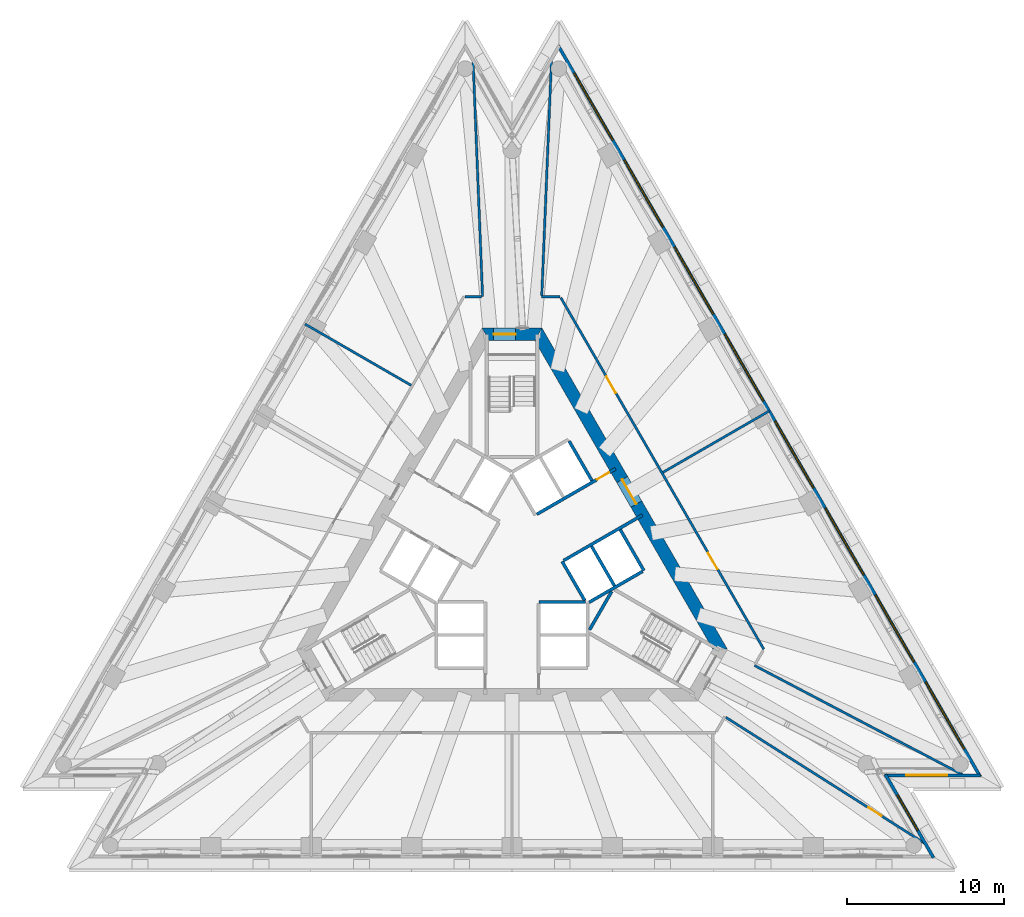
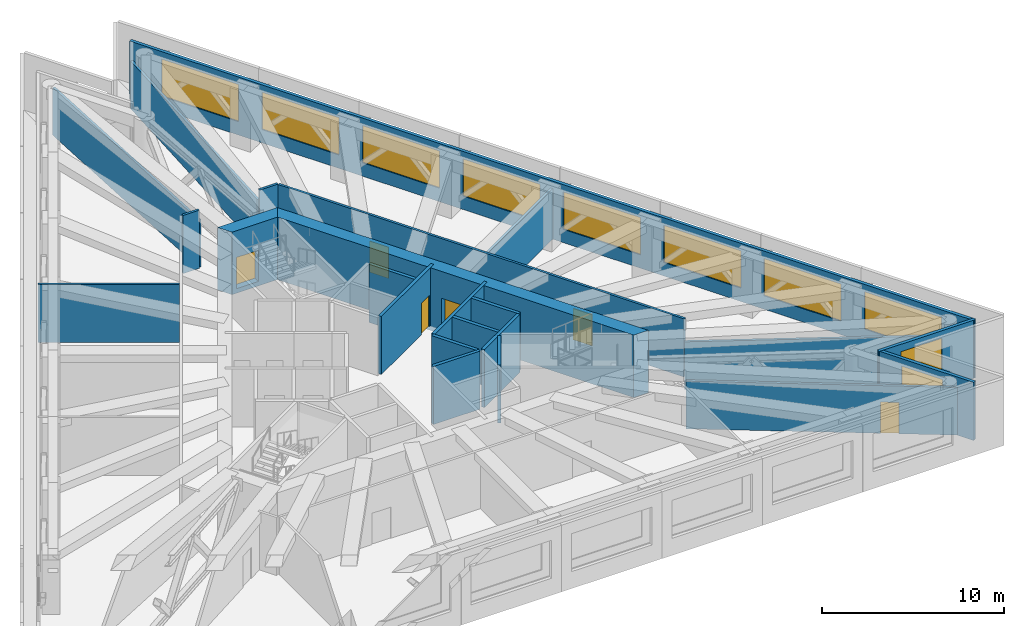
# One storey, part 9 of 13: 23 walls, 10 windows, 6 doors, 16 openings.
"""IFC4 building model written with IfcOpenShell, lengths in metres."""

from ifc_helpers import new_model, si_unit, direction, frame, frame_2d, origin, place, context, subcontext, project, spatial, polyline, rectangle, outline, extrude, material, layer, layer_set, layer_usage, type_object, element, fill, save


model = new_model("IFC4")

# Units and contexts
model_context = context("Model", 3, precision=1e-05, world=origin(), true_north=direction((0.0, 1.0)))
body_context = subcontext(model_context, "Body", "Model", "MODEL_VIEW")
ifc_project = project(units=[si_unit("LENGTHUNIT", "METRE"), si_unit("AREAUNIT", "SQUARE_METRE"), si_unit("VOLUMEUNIT", "CUBIC_METRE"), si_unit("PLANEANGLEUNIT", "RADIAN"), si_unit("MASSUNIT", "GRAM", prefix="KILO")], contexts=[model_context])

# Site, building, storey
site_placement = place(None, origin())
site = spatial("IfcSite", under=ifc_project, at=site_placement, CompositionType="ELEMENT")
building_placement = place(site_placement, origin())
building = spatial("IfcBuilding", under=site, at=building_placement, Name="Triada Interchange Tower", CompositionType="ELEMENT")
storey_placement = place(building_placement, frame((0.0, 0.0, 176.300048828125)))
storey = spatial("IfcBuildingStorey", under=building, at=storey_placement, Name="L41", CompositionType="ELEMENT", Elevation=176.300048828125)

# Walls
ifc_material_1 = material(Name="Concrete C30/37", Category="concrete")
ifc_layer_1 = layer(ifc_material_1, 0.199951171875)
ifc_layer_set_1 = layer_set([ifc_layer_1], Name="CORE WALL 200 EI 120")
wall_type_1 = type_object("IfcWallType", Name="CORE WALL 200 EI 120", PredefinedType="SOLIDWALL", material=ifc_layer_set_1)
wall_1_placement = place(storey_placement, frame((1.702880859375, -2.699951171875, 0.0), z_axis=(0.0, 0.0, 1.0), x_axis=(1.0, 0.0, 0.0)))
element("IfcWall", 1, at=wall_1_placement, inside=storey, type_object=wall_type_1, Name="Wall L41 32", PredefinedType="SOLIDWALL", context=body_context, shape_type="SweptSolid", body=[
    extrude(rectangle(XDim=2.97314453125, YDim=0.199951171875, at=frame_2d((1.486572265625, 0.0))), origin(), (0.0, 0.0, 1.0), 3.89990234375),
])
wall_2_placement = place(storey_placement, frame((3.18994140625, -0.125, 0.0), z_axis=(0.0, 0.0, 1.0), x_axis=(0.499988658015, -0.866031951983, 0.0)))
element("IfcWall", 2, at=wall_2_placement, inside=storey, type_object=wall_type_1, Name="Wall L41 35", PredefinedType="SOLIDWALL", context=body_context, shape_type="SweptSolid", body=[
    extrude(rectangle(XDim=2.85791015625, YDim=0.199951171875, at=frame_2d((1.428955078125, 0.0))), origin(), (0.0, 0.0, 1.0), 3.89990234375),
])

# Wall, opening, door
wall_3_placement = place(storey_placement, frame((1.576904296875, 2.8740234375, 0.0), z_axis=(0.0, 0.0, 1.0), x_axis=(0.866073694534, 0.499916348638, 0.0)))
wall_3 = element("IfcWall", 3, at=wall_3_placement, inside=storey, type_object=wall_type_1, Name="Wall L41 36", PredefinedType="SOLIDWALL", context=body_context, shape_type="SweptSolid", body=[
    extrude(rectangle(XDim=5.77685546875, YDim=0.199951171875, at=frame_2d((2.888427734375, 0.0))), origin(), (0.0, 0.0, 1.0), 3.89990234375),
])
opening_1_placement = place(wall_3_placement, frame((4.39892578125, 0.0, 0.0)))
opening_1 = element("IfcOpeningElement", 4, at=opening_1_placement, cuts=wall_3, Name="Opening D41-22", PredefinedType="OPENING", context=body_context, shape_type="SweptSolid", body=[
    extrude(rectangle(XDim=0.89990234375, YDim=2.10009765625, at=frame_2d((0.449951171875, 1.050048828125))), frame((0.0, 0.10986328125, 0.0), z_axis=(0.0, -1.0, 0.0), x_axis=(1.0, 0.0, 0.0)), (0.0, 0.0, 1.0), 0.219970703125),
])
ifc_material_2 = material(Name="Steel S235 door leaf", Category="steel")
door_type_1 = type_object("IfcDoorType", Name="SERVICE DOOR 900 EI2 45-C5S200", OperationType="NOTDEFINED", PredefinedType="DOOR", material=ifc_material_2)
door_1_placement = place(opening_1_placement, origin())
door_1 = element("IfcDoor", 5, at=door_1_placement, inside=storey, type_object=door_type_1, Name="Door D41-22 L41", OperationType="SINGLE_SWING_LEFT", OverallHeight=2.10009765625, OverallWidth=0.89990234375, PredefinedType="DOOR", context=body_context, shape_type="SweptSolid", body=[
    extrude(rectangle(XDim=0.89990234375, YDim=2.10009765625, at=frame_2d((0.449951171875, 1.050048828125))), frame((0.0, 0.02490234375, 0.0), z_axis=(0.0, -1.0, 0.0), x_axis=(1.0, 0.0, 0.0)), (0.0, 0.0, 1.0), 0.050048828125),
])
fill(opening_1, door_1)

# Walls
wall_4_placement = place(storey_placement, frame((3.6259765625, 7.52001953125, 0.0), z_axis=(0.0, 0.0, 1.0), x_axis=(0.500060147554, -0.865990674793, 0.0)))
element("IfcWall", 6, at=wall_4_placement, inside=storey, type_object=wall_type_1, Name="Wall L41 39", PredefinedType="SOLIDWALL", context=body_context, shape_type="SweptSolid", body=[
    extrude(rectangle(XDim=2.899658203125, YDim=0.199951171875, at=frame_2d((1.44970703125, 0.0))), origin(), (0.0, 0.0, 1.0), 3.89990234375),
])
wall_5_placement = place(storey_placement, frame((6.8759765625, 1.89111328125, 0.0), z_axis=(0.0, 0.0, 1.0), x_axis=(0.499990139034, -0.866031096941, 0.0)))
element("IfcWall", 7, at=wall_5_placement, inside=storey, type_object=wall_type_1, Name="Wall L41 40", PredefinedType="SOLIDWALL", context=body_context, shape_type="SweptSolid", body=[
    extrude(rectangle(XDim=3.0, YDim=0.199951171875, at=frame_2d((1.5, 0.0))), origin(), (0.0, 0.0, 1.0), 3.89990234375),
])
wall_6_placement = place(storey_placement, frame((5.056884765625, 0.841064453125, 0.0), z_axis=(0.0, 0.0, 1.0), x_axis=(0.50012328804, -0.865954211699, 0.0)))
element("IfcWall", 8, at=wall_6_placement, inside=storey, type_object=wall_type_1, Name="Wall L41 42", PredefinedType="SOLIDWALL", context=body_context, shape_type="SweptSolid", body=[
    extrude(rectangle(XDim=2.899658203125, YDim=0.199951171875, at=frame_2d((1.44970703125, 0.0))), origin(), (0.0, 0.0, 1.0), 3.89990234375),
])
wall_7_placement = place(storey_placement, frame((3.278076171875, -0.071044921875, 0.0), z_axis=(0.0, 0.0, 1.0), x_axis=(0.865929348003, 0.5001663366, 0.0)))
element("IfcWall", 9, at=wall_7_placement, inside=storey, type_object=wall_type_1, Name="Wall L41 43", PredefinedType="SOLIDWALL", context=body_context, shape_type="SweptSolid", body=[
    extrude(rectangle(XDim=5.7763671875, YDim=0.199951171875, at=frame_2d((2.88818359375, 0.0))), origin(), (0.0, 0.0, 1.0), 3.89990234375),
])
wall_8_placement = place(storey_placement, frame((4.89990234375, -2.714111328125, 0.0), z_axis=(0.0, 0.0, 1.0), x_axis=(0.865992350556, 0.500057245502, 0.0)))
element("IfcWall", 10, at=wall_8_placement, inside=storey, type_object=wall_type_1, Name="Wall L41 44", PredefinedType="SOLIDWALL", context=body_context, shape_type="SweptSolid", body=[
    extrude(rectangle(XDim=3.91357421875, YDim=0.199951171875, at=frame_2d((1.956787109375, 0.0))), origin(), (0.0, 0.0, 1.0), 3.89990234375),
])
ifc_layer_2 = layer(ifc_material_1, 0.199951171875)
ifc_layer_set_2 = layer_set([ifc_layer_2], Name="CORE WALL 200 REI 240")
wall_type_2 = type_object("IfcWallType", Name="CORE WALL 200 REI 240", PredefinedType="SOLIDWALL", material=ifc_layer_set_2)
wall_9_placement = place(storey_placement, frame((4.928955078125, -4.4619140625, 0.0), z_axis=(0.0, 0.0, 1.0), x_axis=(0.500200581029, 0.865909567298, 0.0)))
element("IfcWall", 11, at=wall_9_placement, inside=storey, type_object=wall_type_2, Name="Wall L41 68", PredefinedType="SOLIDWALL", context=body_context, shape_type="SweptSolid", body=[
    extrude(rectangle(XDim=2.799072265625, YDim=0.199951171875, at=frame_2d((1.3994140625, 0.0))), origin(), (0.0, 0.0, 1.0), 3.89990234375),
])

# Wall, opening, door
ifc_material_3 = material(Name="Concrete C60/75", Category="concrete")
ifc_layer_3 = layer(ifc_material_3, 0.800048828125)
ifc_layer_set_3 = layer_set([ifc_layer_3], Name="Core wall B 800")
wall_type_3 = type_object("IfcWallType", Name="Core wall B 800", PredefinedType="SHEAR", material=ifc_layer_set_3)
wall_10_placement = place(storey_placement, frame((1.674072265625, 14.300048828125, -0.300048828125), z_axis=(0.0, 0.0, 1.0), x_axis=(-1.0, 0.0, 0.0)))
wall_10 = element("IfcWall", 12, at=wall_10_placement, inside=storey, type_object=wall_type_3, Name="Core wall WB01 L41", PredefinedType="SHEAR", context=body_context, shape_type="SweptSolid", body=[
    extrude(outline(polyline([(-0.23095703125, -0.39990234375), (1.674072265625, -0.39990234375), (3.5791015625, -0.39990234375), (3.116943359375, 0.39990234375), (1.673828125, 0.39990234375), (0.23095703125, 0.39990234375), (-0.23095703125, -0.39990234375)])), origin(), (0.0, 0.0, 1.0), 4.199951171875),
])
opening_2_placement = place(wall_10_placement, frame((1.43701171875, 0.0, 0.300048828125)))
opening_2 = element("IfcOpeningElement", 13, at=opening_2_placement, cuts=wall_10, Name="Opening D41-16", PredefinedType="OPENING", context=body_context, shape_type="SweptSolid", body=[
    extrude(rectangle(XDim=1.39990234375, YDim=2.10009765625, at=frame_2d((0.699951171875, 1.050048828125))), frame((0.0, 0.409912109375, 0.0), z_axis=(0.0, -1.0, 0.0), x_axis=(1.0, 0.0, 0.0)), (0.0, 0.0, 1.0), 0.820068359375),
])
door_type_2 = type_object("IfcDoorType", Name="STAIR DOOR 1400 EI2 90-C5S200", OperationType="DOUBLE_DOOR_SINGLE_SWING", PredefinedType="DOOR", material=ifc_material_2)
door_2_placement = place(opening_2_placement, origin())
door_2 = element("IfcDoor", 14, at=door_2_placement, inside=storey, type_object=door_type_2, Name="Door D41-16 L41", OperationType="DOUBLE_DOOR_SINGLE_SWING", OverallHeight=2.10009765625, OverallWidth=1.39990234375, PredefinedType="DOOR", context=body_context, shape_type="SweptSolid", body=[
    extrude(rectangle(XDim=1.39990234375, YDim=2.10009765625, at=frame_2d((0.699951171875, 1.050048828125))), frame((0.0, 0.02490234375, 0.0), z_axis=(0.0, -1.0, 0.0), x_axis=(1.0, 0.0, 0.0)), (0.0, 0.0, 1.0), 0.050048828125),
])
fill(opening_2, door_2)

wall_11_placement = place(storey_placement, frame((13.220947265625, -5.699951171875, -0.300048828125), z_axis=(0.0, 0.0, 1.0), x_axis=(-0.499995765644, 0.866027848477, 0.0)))
wall_11 = element("IfcWall", 15, at=wall_11_placement, inside=storey, type_object=wall_type_3, Name="Core wall WB06 L41", PredefinedType="SHEAR", context=body_context, shape_type="SweptSolid", body=[
    extrude(outline(polyline([(-0.23095703125, -0.39990234375), (1.73193359375, -0.39990234375), (3.695068359375, -0.39990234375), (5.657958984375, -0.39990234375), (7.62109375, -0.39990234375), (9.583984375, -0.39990234375), (11.546875, -0.39990234375), (13.510009765625, -0.39990234375), (15.472900390625, -0.39990234375), (17.43603515625, -0.39990234375), (19.39892578125, -0.39990234375), (21.362060546875, -0.39990234375), (23.324951171875, -0.39990234375), (22.863037109375, 0.39990234375), (20.97705078125, 0.39990234375), (19.091064453125, 0.39990234375), (17.205078125, 0.39990234375), (15.319091796875, 0.39990234375), (13.43310546875, 0.39990234375), (11.546875, 0.39990234375), (9.660888671875, 0.39990234375), (7.77490234375, 0.39990234375), (5.888916015625, 0.39990234375), (4.0029296875, 0.39990234375), (2.116943359375, 0.39990234375), (0.23095703125, 0.39990234375), (-0.23095703125, -0.39990234375)])), origin(), (0.0, 0.0, 1.0), 4.199951171875),
])
opening_3_placement = place(wall_11_placement, frame((10.64697265625, 0.0, 0.300048828125)))
opening_3 = element("IfcOpeningElement", 16, at=opening_3_placement, cuts=wall_11, Name="Opening D41-15", PredefinedType="OPENING", context=body_context, shape_type="SweptSolid", body=[
    extrude(rectangle(XDim=1.800048828125, YDim=2.10009765625, at=frame_2d((0.89990234375, 1.050048828125))), frame((0.0, 0.409912109375, 0.0), z_axis=(0.0, -1.0, 0.0), x_axis=(1.0, 0.0, 0.0)), (0.0, 0.0, 1.0), 0.820068359375),
])
door_type_3 = type_object("IfcDoorType", Name="LOBBY DOOR 1800 EI2 90-C5S200", OperationType="DOUBLE_DOOR_SINGLE_SWING", PredefinedType="DOOR", material=ifc_material_2)
door_3_placement = place(opening_3_placement, origin())
door_3 = element("IfcDoor", 17, at=door_3_placement, inside=storey, type_object=door_type_3, Name="Door D41-15 L41", OperationType="DOUBLE_DOOR_SINGLE_SWING", OverallHeight=2.10009765625, OverallWidth=1.800048828125, PredefinedType="DOOR", context=body_context, shape_type="SweptSolid", body=[
    extrude(rectangle(XDim=1.800048828125, YDim=2.10009765625, at=frame_2d((0.89990234375, 1.050048828125))), frame((0.0, 0.02490234375, 0.0), z_axis=(0.0, -1.0, 0.0), x_axis=(1.0, 0.0, 0.0)), (0.0, 0.0, 1.0), 0.050048828125),
])
fill(opening_3, door_3)

# Wall, opening, window
ifc_material_4 = material(Name="Cement board")
ifc_layer_4 = layer(ifc_material_4, 0.02001953125, Name="Cement board cladding")
ifc_material_5 = material(Name="Sheathing board")
ifc_layer_5 = layer(ifc_material_5, 0.014892578125, Name="Sheathing board")
ifc_material_6 = material(Name="Mineral wool")
ifc_layer_6 = layer(ifc_material_6, 0.14990234375, Name="Mineral wool between steel studs")
ifc_material_7 = material(Name="Gypsum board")
ifc_layer_7 = layer(ifc_material_7, 0.014892578125, Name="Plasterboard lining")
ifc_layer_set_4 = layer_set([ifc_layer_4, ifc_layer_5, ifc_layer_6, ifc_layer_7], Name="External wall 200")
ifc_layer_usage = layer_usage(ifc_layer_set_4, "AXIS2", "POSITIVE", -0.10009765625)
wall_type_4 = type_object("IfcWallType", Name="External wall 200", PredefinedType="ELEMENTEDWALL", material=ifc_layer_set_4)
wall_12_placement = place(storey_placement, frame((26.77099609375, -18.93896484375, 0.0), z_axis=(0.0, 0.0, 1.0), x_axis=(-0.499972956414, 0.866041016843, 0.0)))
wall_12 = element("IfcWall", 18, at=wall_12_placement, inside=storey, type_object=wall_type_4, material=ifc_layer_usage, Name="External wall L41 SE-1", PredefinedType="ELEMENTEDWALL", context=body_context, shape_type="SweptSolid", body=[
    extrude(rectangle(XDim=6.102294921875, YDim=0.199951171875, at=frame_2d((3.05126953125, 0.0))), origin(), (0.0, 0.0, 1.0), 3.89990234375),
])
opening_4_placement = place(wall_12_placement, frame((1.989990234375, 0.0, 0.89990234375)))
opening_4 = element("IfcOpeningElement", 19, at=opening_4_placement, cuts=wall_12, Name="Opening WB19", PredefinedType="OPENING", context=body_context, shape_type="SweptSolid", body=[
    extrude(rectangle(XDim=2.60009765625, YDim=2.5, at=frame_2d((1.300048828125, 1.25))), frame((0.0, 0.10986328125, 0.0), z_axis=(0.0, -1.0, 0.0), x_axis=(1.0, 0.0, 0.0)), (0.0, 0.0, 1.0), 0.219970703125),
])
ifc_material_8 = material(Name="Double glazed aluminium window", Category="aluminium")
window_type_1 = type_object("IfcWindowType", Name="Ribbon window B pocket", PartitioningType="SINGLE_PANEL", PredefinedType="WINDOW", material=ifc_material_8)
window_1_placement = place(opening_4_placement, origin())
window_1 = element("IfcWindow", 20, at=window_1_placement, inside=storey, type_object=window_type_1, Name="Window L41 SE-1 1", OverallHeight=2.5, OverallWidth=2.60009765625, PartitioningType="SINGLE_PANEL", PredefinedType="WINDOW", context=body_context, shape_type="SweptSolid", body=[
    extrude(rectangle(XDim=2.60009765625, YDim=2.5, at=frame_2d((1.300048828125, 1.25))), frame((0.0, 0.030029296875, 0.0), z_axis=(0.0, -1.0, 0.0), x_axis=(1.0, 0.0, 0.0)), (0.0, 0.0, 1.0), 0.06005859375),
])
fill(opening_4, window_1)

wall_13_placement = place(storey_placement, frame((23.6650390625, -13.715087890625, 0.0), z_axis=(0.0, 0.0, 1.0), x_axis=(1.0, 0.0, 0.0)))
wall_13 = element("IfcWall", 21, at=wall_13_placement, inside=storey, type_object=wall_type_4, material=ifc_layer_usage, Name="External wall L41 SE-2", PredefinedType="ELEMENTEDWALL", context=body_context, shape_type="SweptSolid", body=[
    extrude(rectangle(XDim=6.10205078125, YDim=0.199951171875, at=frame_2d((3.051025390625, 0.0))), origin(), (0.0, 0.0, 1.0), 3.89990234375),
])
opening_5_placement = place(wall_13_placement, frame((1.389892578125, 0.0, 0.89990234375)))
opening_5 = element("IfcOpeningElement", 22, at=opening_5_placement, cuts=wall_13, Name="Opening WB20", PredefinedType="OPENING", context=body_context, shape_type="SweptSolid", body=[
    extrude(rectangle(XDim=2.60009765625, YDim=2.5, at=frame_2d((1.300048828125, 1.25))), frame((0.0, 0.10986328125, 0.0), z_axis=(0.0, -1.0, 0.0), x_axis=(1.0, 0.0, 0.0)), (0.0, 0.0, 1.0), 0.219970703125),
])
window_2_placement = place(opening_5_placement, origin())
window_2 = element("IfcWindow", 23, at=window_2_placement, inside=storey, type_object=window_type_1, Name="Window L41 SE-2 1", OverallHeight=2.5, OverallWidth=2.60009765625, PartitioningType="SINGLE_PANEL", PredefinedType="WINDOW", context=body_context, shape_type="SweptSolid", body=[
    extrude(rectangle(XDim=2.60009765625, YDim=2.5, at=frame_2d((1.300048828125, 1.25))), frame((0.0, 0.030029296875, 0.0), z_axis=(0.0, -1.0, 0.0), x_axis=(1.0, 0.0, 0.0)), (0.0, 0.0, 1.0), 0.06005859375),
])
fill(opening_5, window_2)

# Wall, openings, windows
wall_14_placement = place(storey_placement, frame((29.741943359375, -13.79296875, 0.0), z_axis=(0.0, 0.0, 1.0), x_axis=(-0.499994049952, 0.866028839019, 0.0)))
wall_14 = element("IfcWall", 24, at=wall_14_placement, inside=storey, type_object=wall_type_4, material=ifc_layer_usage, Name="External wall L41 NE", PredefinedType="ELEMENTEDWALL", context=body_context, shape_type="SweptSolid", body=[
    extrude(rectangle(XDim=53.612548828125, YDim=0.199951171875, at=frame_2d((26.80615234375, 0.0))), origin(), (0.0, 0.0, 1.0), 3.89990234375),
])
opening_6_placement = place(wall_14_placement, frame((2.0419921875, 0.0, 0.89990234375)))
opening_6 = element("IfcOpeningElement", 25, at=opening_6_placement, cuts=wall_14, Name="Opening WB21", PredefinedType="OPENING", context=body_context, shape_type="SweptSolid", body=[
    extrude(rectangle(XDim=4.89990234375, YDim=2.5, at=frame_2d((2.449951171875, 1.25))), frame((0.0, 0.10986328125, 0.0), z_axis=(0.0, -1.0, 0.0), x_axis=(1.0, 0.0, 0.0)), (0.0, 0.0, 1.0), 0.219970703125),
])
opening_7_placement = place(wall_14_placement, frame((8.419921875, 0.0, 0.89990234375)))
opening_7 = element("IfcOpeningElement", 26, at=opening_7_placement, cuts=wall_14, Name="Opening WB22", PredefinedType="OPENING", context=body_context, shape_type="SweptSolid", body=[
    extrude(rectangle(XDim=4.89990234375, YDim=2.5, at=frame_2d((2.449951171875, 1.25))), frame((0.0, 0.10986328125, 0.0), z_axis=(0.0, -1.0, 0.0), x_axis=(1.0, 0.0, 0.0)), (0.0, 0.0, 1.0), 0.219970703125),
])
opening_8_placement = place(wall_14_placement, frame((14.799072265625, 0.0, 0.89990234375)))
opening_8 = element("IfcOpeningElement", 27, at=opening_8_placement, cuts=wall_14, Name="Opening WB23", PredefinedType="OPENING", context=body_context, shape_type="SweptSolid", body=[
    extrude(rectangle(XDim=4.89990234375, YDim=2.5, at=frame_2d((2.449951171875, 1.25))), frame((0.0, 0.10986328125, 0.0), z_axis=(0.0, -1.0, 0.0), x_axis=(1.0, 0.0, 0.0)), (0.0, 0.0, 1.0), 0.219970703125),
])
opening_9_placement = place(wall_14_placement, frame((21.177001953125, 0.0, 0.89990234375)))
opening_9 = element("IfcOpeningElement", 28, at=opening_9_placement, cuts=wall_14, Name="Opening WB24", PredefinedType="OPENING", context=body_context, shape_type="SweptSolid", body=[
    extrude(rectangle(XDim=4.89990234375, YDim=2.5, at=frame_2d((2.449951171875, 1.25))), frame((0.0, 0.10986328125, 0.0), z_axis=(0.0, -1.0, 0.0), x_axis=(1.0, 0.0, 0.0)), (0.0, 0.0, 1.0), 0.219970703125),
])
opening_10_placement = place(wall_14_placement, frame((27.554931640625, 0.0, 0.89990234375)))
opening_10 = element("IfcOpeningElement", 29, at=opening_10_placement, cuts=wall_14, Name="Opening WB25", PredefinedType="OPENING", context=body_context, shape_type="SweptSolid", body=[
    extrude(rectangle(XDim=4.89990234375, YDim=2.5, at=frame_2d((2.449951171875, 1.25))), frame((0.0, 0.10986328125, 0.0), z_axis=(0.0, -1.0, 0.0), x_axis=(1.0, 0.0, 0.0)), (0.0, 0.0, 1.0), 0.219970703125),
])
opening_11_placement = place(wall_14_placement, frame((33.93408203125, 0.0, 0.89990234375)))
opening_11 = element("IfcOpeningElement", 30, at=opening_11_placement, cuts=wall_14, Name="Opening WB26", PredefinedType="OPENING", context=body_context, shape_type="SweptSolid", body=[
    extrude(rectangle(XDim=4.89990234375, YDim=2.5, at=frame_2d((2.449951171875, 1.25))), frame((0.0, 0.10986328125, 0.0), z_axis=(0.0, -1.0, 0.0), x_axis=(1.0, 0.0, 0.0)), (0.0, 0.0, 1.0), 0.219970703125),
])
opening_12_placement = place(wall_14_placement, frame((40.31201171875, 0.0, 0.89990234375)))
opening_12 = element("IfcOpeningElement", 31, at=opening_12_placement, cuts=wall_14, Name="Opening WB27", PredefinedType="OPENING", context=body_context, shape_type="SweptSolid", body=[
    extrude(rectangle(XDim=4.89990234375, YDim=2.5, at=frame_2d((2.449951171875, 1.25))), frame((0.0, 0.10986328125, 0.0), z_axis=(0.0, -1.0, 0.0), x_axis=(1.0, 0.0, 0.0)), (0.0, 0.0, 1.0), 0.219970703125),
])
opening_13_placement = place(wall_14_placement, frame((46.69091796875, 0.0, 0.89990234375)))
opening_13 = element("IfcOpeningElement", 32, at=opening_13_placement, cuts=wall_14, Name="Opening WB28", PredefinedType="OPENING", context=body_context, shape_type="SweptSolid", body=[
    extrude(rectangle(XDim=4.89990234375, YDim=2.5, at=frame_2d((2.449951171875, 1.25))), frame((0.0, 0.10986328125, 0.0), z_axis=(0.0, -1.0, 0.0), x_axis=(1.0, 0.0, 0.0)), (0.0, 0.0, 1.0), 0.219970703125),
])
window_type_2 = type_object("IfcWindowType", Name="Ribbon window B face", PartitioningType="SINGLE_PANEL", PredefinedType="WINDOW", material=ifc_material_8)
window_3_placement = place(opening_6_placement, origin())
window_3 = element("IfcWindow", 33, at=window_3_placement, inside=storey, type_object=window_type_2, Name="Window L41 NE 1", OverallHeight=2.5, OverallWidth=4.89990234375, PartitioningType="SINGLE_PANEL", PredefinedType="WINDOW", context=body_context, shape_type="SweptSolid", body=[
    extrude(rectangle(XDim=4.89990234375, YDim=2.5, at=frame_2d((2.449951171875, 1.25))), frame((0.0, 0.030029296875, 0.0), z_axis=(0.0, -1.0, 0.0), x_axis=(1.0, 0.0, 0.0)), (0.0, 0.0, 1.0), 0.06005859375),
])
fill(opening_6, window_3)
window_4_placement = place(opening_7_placement, origin())
window_4 = element("IfcWindow", 34, at=window_4_placement, inside=storey, type_object=window_type_2, Name="Window L41 NE 2", OverallHeight=2.5, OverallWidth=4.89990234375, PartitioningType="SINGLE_PANEL", PredefinedType="WINDOW", context=body_context, shape_type="SweptSolid", body=[
    extrude(rectangle(XDim=4.89990234375, YDim=2.5, at=frame_2d((2.449951171875, 1.25))), frame((0.0, 0.030029296875, 0.0), z_axis=(0.0, -1.0, 0.0), x_axis=(1.0, 0.0, 0.0)), (0.0, 0.0, 1.0), 0.06005859375),
])
fill(opening_7, window_4)
window_5_placement = place(opening_8_placement, origin())
window_5 = element("IfcWindow", 35, at=window_5_placement, inside=storey, type_object=window_type_2, Name="Window L41 NE 3", OverallHeight=2.5, OverallWidth=4.89990234375, PartitioningType="SINGLE_PANEL", PredefinedType="WINDOW", context=body_context, shape_type="SweptSolid", body=[
    extrude(rectangle(XDim=4.89990234375, YDim=2.5, at=frame_2d((2.449951171875, 1.25))), frame((0.0, 0.030029296875, 0.0), z_axis=(0.0, -1.0, 0.0), x_axis=(1.0, 0.0, 0.0)), (0.0, 0.0, 1.0), 0.06005859375),
])
fill(opening_8, window_5)
window_6_placement = place(opening_9_placement, origin())
window_6 = element("IfcWindow", 36, at=window_6_placement, inside=storey, type_object=window_type_2, Name="Window L41 NE 4", OverallHeight=2.5, OverallWidth=4.89990234375, PartitioningType="SINGLE_PANEL", PredefinedType="WINDOW", context=body_context, shape_type="SweptSolid", body=[
    extrude(rectangle(XDim=4.89990234375, YDim=2.5, at=frame_2d((2.449951171875, 1.25))), frame((0.0, 0.030029296875, 0.0), z_axis=(0.0, -1.0, 0.0), x_axis=(1.0, 0.0, 0.0)), (0.0, 0.0, 1.0), 0.06005859375),
])
fill(opening_9, window_6)
window_7_placement = place(opening_10_placement, origin())
window_7 = element("IfcWindow", 37, at=window_7_placement, inside=storey, type_object=window_type_2, Name="Window L41 NE 5", OverallHeight=2.5, OverallWidth=4.89990234375, PartitioningType="SINGLE_PANEL", PredefinedType="WINDOW", context=body_context, shape_type="SweptSolid", body=[
    extrude(rectangle(XDim=4.89990234375, YDim=2.5, at=frame_2d((2.449951171875, 1.25))), frame((0.0, 0.030029296875, 0.0), z_axis=(0.0, -1.0, 0.0), x_axis=(1.0, 0.0, 0.0)), (0.0, 0.0, 1.0), 0.06005859375),
])
fill(opening_10, window_7)
window_8_placement = place(opening_11_placement, origin())
window_8 = element("IfcWindow", 38, at=window_8_placement, inside=storey, type_object=window_type_2, Name="Window L41 NE 6", OverallHeight=2.5, OverallWidth=4.89990234375, PartitioningType="SINGLE_PANEL", PredefinedType="WINDOW", context=body_context, shape_type="SweptSolid", body=[
    extrude(rectangle(XDim=4.89990234375, YDim=2.5, at=frame_2d((2.449951171875, 1.25))), frame((0.0, 0.030029296875, 0.0), z_axis=(0.0, -1.0, 0.0), x_axis=(1.0, 0.0, 0.0)), (0.0, 0.0, 1.0), 0.06005859375),
])
fill(opening_11, window_8)
window_9_placement = place(opening_12_placement, origin())
window_9 = element("IfcWindow", 39, at=window_9_placement, inside=storey, type_object=window_type_2, Name="Window L41 NE 7", OverallHeight=2.5, OverallWidth=4.89990234375, PartitioningType="SINGLE_PANEL", PredefinedType="WINDOW", context=body_context, shape_type="SweptSolid", body=[
    extrude(rectangle(XDim=4.89990234375, YDim=2.5, at=frame_2d((2.449951171875, 1.25))), frame((0.0, 0.030029296875, 0.0), z_axis=(0.0, -1.0, 0.0), x_axis=(1.0, 0.0, 0.0)), (0.0, 0.0, 1.0), 0.06005859375),
])
fill(opening_12, window_9)
window_10_placement = place(opening_13_placement, origin())
window_10 = element("IfcWindow", 40, at=window_10_placement, inside=storey, type_object=window_type_2, Name="Window L41 NE 8", OverallHeight=2.5, OverallWidth=4.89990234375, PartitioningType="SINGLE_PANEL", PredefinedType="WINDOW", context=body_context, shape_type="SweptSolid", body=[
    extrude(rectangle(XDim=4.89990234375, YDim=2.5, at=frame_2d((2.449951171875, 1.25))), frame((0.0, 0.030029296875, 0.0), z_axis=(0.0, -1.0, 0.0), x_axis=(1.0, 0.0, 0.0)), (0.0, 0.0, 1.0), 0.06005859375),
])
fill(opening_13, window_10)

# Walls
ifc_material_9 = material(Name="Gypsum board partition")
ifc_layer_8 = layer(ifc_material_9, 0.14990234375)
ifc_layer_set_5 = layer_set([ifc_layer_8], Name="PARTITION 150 EI 180")
wall_type_5 = type_object("IfcWallType", Name="PARTITION 150 EI 180", PredefinedType="PARTITIONING", material=ifc_layer_set_5)
wall_15_placement = place(storey_placement, frame((-13.14501953125, 14.9541015625, 0.0), z_axis=(0.0, 0.0, 1.0), x_axis=(0.866023191782, -0.500003831281, 0.0)))
element("IfcWall", 41, at=wall_15_placement, inside=storey, type_object=wall_type_5, Name="Wall L41 9", PredefinedType="PARTITIONING", context=body_context, shape_type="SweptSolid", body=[
    extrude(rectangle(XDim=7.7861328125, YDim=0.14990234375, at=frame_2d((3.89306640625, 0.0))), origin(), (0.0, 0.0, 1.0), 3.89990234375),
])
wall_16_placement = place(storey_placement, frame((-2.472900390625, 31.712890625, 0.0), z_axis=(0.0, 0.0, 1.0), x_axis=(0.040118587007, -0.999194925416, 0.0)))
element("IfcWall", 42, at=wall_16_placement, inside=storey, type_object=wall_type_5, Name="Wall L41 11", PredefinedType="PARTITIONING", context=body_context, shape_type="SweptSolid", body=[
    extrude(rectangle(XDim=15.025146484375, YDim=0.14990234375, at=frame_2d((7.5126953125, 0.0))), origin(), (0.0, 0.0, 1.0), 3.199951171875),
])
wall_17_placement = place(storey_placement, frame((-2.972900390625, 16.699951171875, 0.0), z_axis=(0.0, 0.0, 1.0), x_axis=(1.0, 0.0, 0.0)))
element("IfcWall", 43, at=wall_17_placement, inside=storey, type_object=wall_type_5, Name="Wall L41 12", PredefinedType="PARTITIONING", context=body_context, shape_type="SweptSolid", body=[
    extrude(rectangle(XDim=1.02783203125, YDim=0.14990234375, at=frame_2d((0.513916015625, 0.0))), origin(), (0.0, 0.0, 1.0), 3.89990234375),
])
wall_18_placement = place(storey_placement, frame((1.887939453125, 16.699951171875, 0.0), z_axis=(0.0, 0.0, 1.0), x_axis=(1.0, 0.0, 0.0)))
element("IfcWall", 44, at=wall_18_placement, inside=storey, type_object=wall_type_5, Name="Wall L41 13", PredefinedType="PARTITIONING", context=body_context, shape_type="SweptSolid", body=[
    extrude(rectangle(XDim=1.172119140625, YDim=0.14990234375, at=frame_2d((0.5859375, 0.0))), origin(), (0.0, 0.0, 1.0), 3.89990234375),
])

# Wall, openings, doors
wall_19_placement = place(storey_placement, frame((3.10302734375, 16.625, 0.0), z_axis=(0.0, 0.0, 1.0), x_axis=(0.500016758057, -0.866015728299, 0.0)))
wall_19 = element("IfcWall", 45, at=wall_19_placement, inside=storey, type_object=wall_type_5, Name="Wall L41 15", PredefinedType="PARTITIONING", context=body_context, shape_type="SweptSolid", body=[
    extrude(rectangle(XDim=25.77880859375, YDim=0.14990234375, at=frame_2d((12.889404296875, 0.0))), origin(), (0.0, 0.0, 1.0), 3.89990234375),
])
opening_14_placement = place(wall_19_placement, frame((18.7119140625, 0.0, 0.0)))
opening_14 = element("IfcOpeningElement", 46, at=opening_14_placement, cuts=wall_19, Name="Opening D41-05", PredefinedType="OPENING", context=body_context, shape_type="SweptSolid", body=[
    extrude(rectangle(XDim=1.199951171875, YDim=2.10009765625, at=frame_2d((0.60009765625, 1.050048828125))), frame((0.0, 0.0849609375, 0.0), z_axis=(0.0, -1.0, 0.0), x_axis=(1.0, 0.0, 0.0)), (0.0, 0.0, 1.0), 0.169921875),
])
opening_15_placement = place(wall_19_placement, frame((5.780029296875, 0.0, 0.0)))
opening_15 = element("IfcOpeningElement", 47, at=opening_15_placement, cuts=wall_19, Name="Opening D41-06", PredefinedType="OPENING", context=body_context, shape_type="SweptSolid", body=[
    extrude(rectangle(XDim=1.199951171875, YDim=2.10009765625, at=frame_2d((0.60009765625, 1.050048828125))), frame((0.0, 0.0849609375, 0.0), z_axis=(0.0, -1.0, 0.0), x_axis=(1.0, 0.0, 0.0)), (0.0, 0.0, 1.0), 0.169921875),
])
door_type_4 = type_object("IfcDoorType", Name="DOUBLE ROOM DOOR 1200 EI2 45-C5S200", OperationType="DOUBLE_DOOR_SINGLE_SWING", PredefinedType="DOOR", material=ifc_material_2)
door_4_placement = place(opening_14_placement, origin())
door_4 = element("IfcDoor", 48, at=door_4_placement, inside=storey, type_object=door_type_4, Name="Door D41-05 L41", OperationType="DOUBLE_DOOR_SINGLE_SWING", OverallHeight=2.10009765625, OverallWidth=1.199951171875, PredefinedType="DOOR", context=body_context, shape_type="SweptSolid", body=[
    extrude(rectangle(XDim=1.199951171875, YDim=2.10009765625, at=frame_2d((0.60009765625, 1.050048828125))), frame((0.0, 0.02490234375, 0.0), z_axis=(0.0, -1.0, 0.0), x_axis=(1.0, 0.0, 0.0)), (0.0, 0.0, 1.0), 0.050048828125),
])
fill(opening_14, door_4)
door_type_5 = type_object("IfcDoorType", Name="DOUBLE ROOM DOOR 1200 EI2 90-C5S200", OperationType="DOUBLE_DOOR_SINGLE_SWING", PredefinedType="DOOR", material=ifc_material_2)
door_5_placement = place(opening_15_placement, origin())
door_5 = element("IfcDoor", 49, at=door_5_placement, inside=storey, type_object=door_type_5, Name="Door D41-06 L41", OperationType="DOUBLE_DOOR_SINGLE_SWING", OverallHeight=2.10009765625, OverallWidth=1.199951171875, PredefinedType="DOOR", context=body_context, shape_type="SweptSolid", body=[
    extrude(rectangle(XDim=1.199951171875, YDim=2.10009765625, at=frame_2d((0.60009765625, 1.050048828125))), frame((0.0, 0.02490234375, 0.0), z_axis=(0.0, -1.0, 0.0), x_axis=(1.0, 0.0, 0.0)), (0.0, 0.0, 1.0), 0.050048828125),
])
fill(opening_15, door_5)

# Walls
wall_20_placement = place(storey_placement, frame((1.89111328125, 16.77490234375, 0.0), z_axis=(0.0, 0.0, 1.0), x_axis=(0.04115975221, 0.999152578337, 0.0)))
element("IfcWall", 50, at=wall_20_placement, inside=storey, type_object=wall_type_5, Name="Wall L41 16", PredefinedType="PARTITIONING", context=body_context, shape_type="SweptSolid", body=[
    extrude(rectangle(XDim=15.0126953125, YDim=0.14990234375, at=frame_2d((7.50634765625, 0.0))), origin(), (0.0, 0.0, 1.0), 3.199951171875),
])
wall_21_placement = place(storey_placement, frame((9.591064453125, 5.537109375, 0.0), z_axis=(0.0, 0.0, 1.0), x_axis=(0.86603676932, 0.499980313799, 0.0)))
element("IfcWall", 51, at=wall_21_placement, inside=storey, type_object=wall_type_5, Name="Wall L41 17", PredefinedType="PARTITIONING", context=body_context, shape_type="SweptSolid", body=[
    extrude(rectangle(XDim=7.785888671875, YDim=0.14990234375, at=frame_2d((3.89306640625, 0.0))), origin(), (0.0, 0.0, 1.0), 3.39990234375),
])
wall_22_placement = place(storey_placement, frame((15.39794921875, -6.72998046875, 0.0), z_axis=(0.0, 0.0, 1.0), x_axis=(0.885369312883, -0.464888351978, 0.0)))
element("IfcWall", 52, at=wall_22_placement, inside=storey, type_object=wall_type_5, Name="Wall L41 18", PredefinedType="PARTITIONING", context=body_context, shape_type="SweptSolid", body=[
    extrude(rectangle(XDim=15.025390625, YDim=0.14990234375, at=frame_2d((7.5126953125, 0.0))), origin(), (0.0, 0.0, 1.0), 3.199951171875),
])

# Wall, opening, door
wall_23_placement = place(storey_placement, frame((13.58203125, -10.02490234375, 0.0), z_axis=(0.0, 0.0, 1.0), x_axis=(0.844701192356, -0.535238167205, 0.0)))
wall_23 = element("IfcWall", 53, at=wall_23_placement, inside=storey, type_object=wall_type_5, Name="Wall L41 22", PredefinedType="PARTITIONING", context=body_context, shape_type="SweptSolid", body=[
    extrude(rectangle(XDim=15.01220703125, YDim=0.14990234375, at=frame_2d((7.506103515625, 0.0))), origin(), (0.0, 0.0, 1.0), 3.199951171875),
])
opening_16_placement = place(wall_23_placement, frame((10.717041015625, 0.0, 0.0)))
opening_16 = element("IfcOpeningElement", 54, at=opening_16_placement, cuts=wall_23, Name="Opening D41-10", PredefinedType="OPENING", context=body_context, shape_type="SweptSolid", body=[
    extrude(rectangle(XDim=1.0, YDim=2.10009765625, at=frame_2d((0.5, 1.050048828125))), frame((0.0, 0.0849609375, 0.0), z_axis=(0.0, -1.0, 0.0), x_axis=(1.0, 0.0, 0.0)), (0.0, 0.0, 1.0), 0.169921875),
])
door_type_6 = type_object("IfcDoorType", Name="ROOM DOOR 1000 EI2 45-C5S200", OperationType="NOTDEFINED", PredefinedType="DOOR", material=ifc_material_2)
door_6_placement = place(opening_16_placement, origin())
door_6 = element("IfcDoor", 55, at=door_6_placement, inside=storey, type_object=door_type_6, Name="Door D41-10 L41", OperationType="SINGLE_SWING_RIGHT", OverallHeight=2.10009765625, OverallWidth=1.0, PredefinedType="DOOR", context=body_context, shape_type="SweptSolid", body=[
    extrude(rectangle(XDim=1.0, YDim=2.10009765625, at=frame_2d((0.5, 1.050048828125))), frame((0.0, 0.02490234375, 0.0), z_axis=(0.0, -1.0, 0.0), x_axis=(1.0, 0.0, 0.0)), (0.0, 0.0, 1.0), 0.050048828125),
])
fill(opening_16, door_6)

save(model, "model.ifc")
